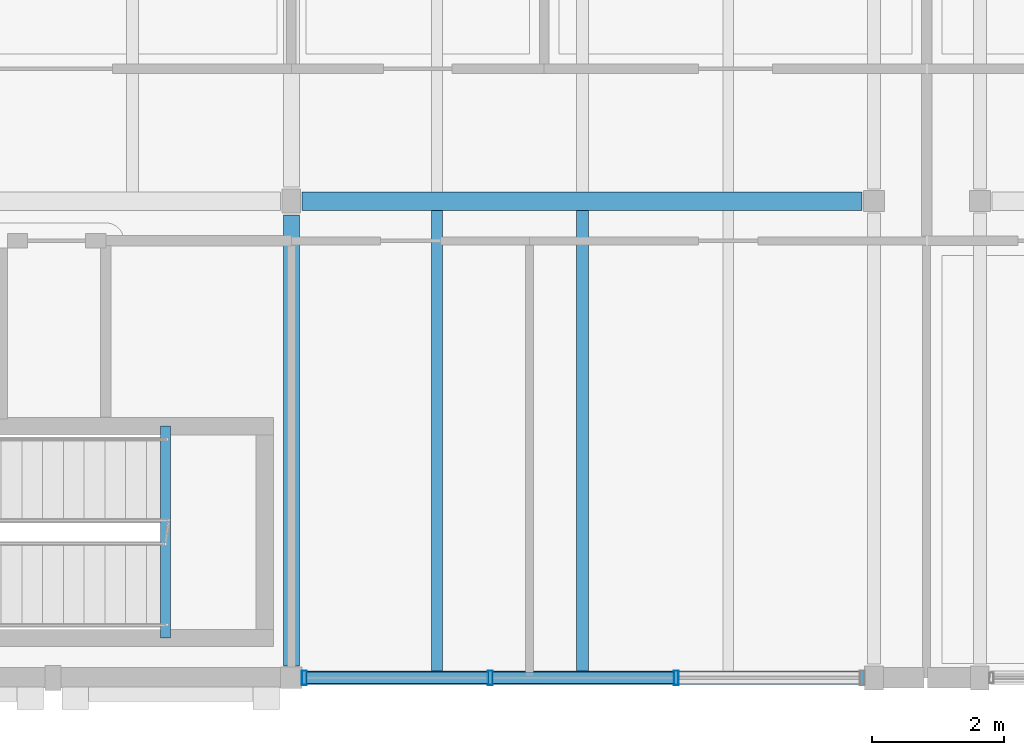
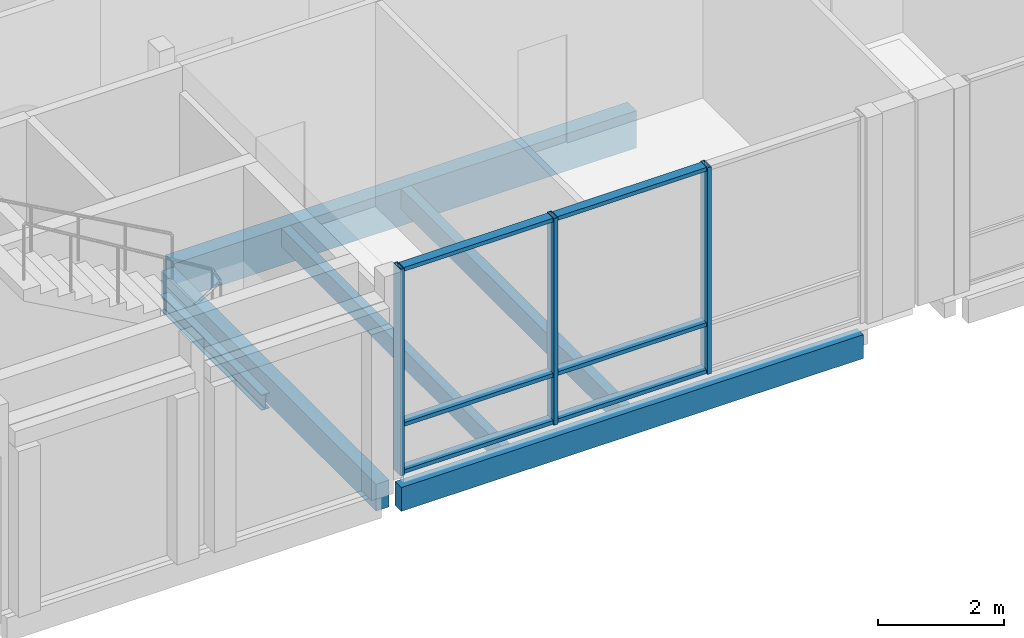
# One storey, part 16 of 115: 9 members, 6 beams, 1 element without a shape of its own.
"""IFC4 building model written with IfcOpenShell, lengths in metres."""

import ifcopenshell
import ifcopenshell.guid

model = None  # the IFC model being written
_history = None  # IfcOwnerHistory: only IFC2X3 demands one
_inside = {}  # id of a spatial element -> (the spatial element, [elements in it])
_under = {}  # id of a project, library or spatial element -> (it, [spatial elements below it])
_declared = {}  # id of a project -> (the project, [libraries it declares])
_typed = {}  # id of a type object -> (the type object, [elements of that type])
_made_of = {}  # id of a material, layer set ... -> (it, [elements and type objects made of it])


def new_model(schema):
    """Start an empty IFC model of exactly this schema.

    Asked for "IFC4X3", IfcOpenShell would pick the latest addendum, in which some entities
    have other attributes; the version numbers below select the first issue.
    IFC2X3 requires an IfcOwnerHistory on every rooted entity: one is made here for all.
    """
    global model, _history
    if schema == "IFC4X3":
        model = ifcopenshell.file(schema_version=(4, 3, 0, 0))
    else:
        model = ifcopenshell.file(schema=schema)
    _inside.clear()
    _under.clear()
    _declared.clear()
    _typed.clear()
    _made_of.clear()
    _history = None
    if model.schema == "IFC2X3":
        org = make("IfcOrganization", Name="unknown")
        user = make(
            "IfcPersonAndOrganization",
            ThePerson=make("IfcPerson", FamilyName="unknown"),
            TheOrganization=org,
        )
        app = make(
            "IfcApplication",
            ApplicationDeveloper=org,
            Version="unknown",
            ApplicationFullName="unknown",
            ApplicationIdentifier="unknown",
        )
        _history = make(
            "IfcOwnerHistory",
            OwningUser=user,
            OwningApplication=app,
            ChangeAction="ADDED",
            CreationDate=0,
        )
    return model


def make(cls, **values):
    """One entity of the class cls with the attributes given. An attribute that is None is left unset."""
    return model.create_entity(
        cls, **{name: value for name, value in values.items() if value is not None}
    )


def rooted(cls, **values):
    """An entity with a GlobalId (a new one), such as an element, a storey or a relation."""
    return make(cls, GlobalId=ifcopenshell.guid.new(), OwnerHistory=_history, **values)


def si_unit(unit_type, name, prefix=None):
    """IfcSIUnit, for example si_unit("LENGTHUNIT", "METRE", prefix="MILLI")."""
    return make("IfcSIUnit", UnitType=unit_type, Prefix=prefix, Name=name)


def assignment(units):
    """IfcUnitAssignment: the units of a project."""
    return None if units is None else make("IfcUnitAssignment", Units=units)


def point(xyz):
    """IfcCartesianPoint."""
    return None if xyz is None else make("IfcCartesianPoint", Coordinates=xyz)


def direction(xyz):
    """IfcDirection."""
    return None if xyz is None else make("IfcDirection", DirectionRatios=xyz)


def frame(location, z_axis=None, x_axis=None):
    """IfcAxis2Placement3D, a coordinate frame: its origin and axes. An axis left out is left unset."""
    return make(
        "IfcAxis2Placement3D",
        Location=point(location),
        Axis=direction(z_axis),
        RefDirection=direction(x_axis),
    )


def frame_2d(location, x_axis=None):
    """IfcAxis2Placement2D, a coordinate frame in the plane: its origin and x axis."""
    return make(
        "IfcAxis2Placement2D", Location=point(location), RefDirection=direction(x_axis)
    )


def origin():
    """The frame at (0, 0, 0) with its axes left unset."""
    return frame((0.0, 0.0, 0.0))


def origin_2d():
    """The frame at (0, 0) in the plane with its x axis left unset."""
    return frame_2d((0.0, 0.0))


def place(relative_to, where):
    """IfcLocalPlacement: puts the frame where relative to a parent placement (None: the world)."""
    return make(
        "IfcLocalPlacement", PlacementRelTo=relative_to, RelativePlacement=where
    )


def context(
    kind, dimensions, precision=None, world=None, true_north=None, identifier=None
):
    """IfcGeometricRepresentationContext, for example the 3D "Model" context."""
    return make(
        "IfcGeometricRepresentationContext",
        ContextIdentifier=identifier,
        ContextType=kind,
        CoordinateSpaceDimension=dimensions,
        Precision=precision,
        WorldCoordinateSystem=world,
        TrueNorth=true_north,
    )


def subcontext(parent, identifier, kind, view, scale=None):
    """IfcGeometricRepresentationSubContext, for example "Body" below "Model"."""
    return make(
        "IfcGeometricRepresentationSubContext",
        ContextIdentifier=identifier,
        ContextType=kind,
        ParentContext=parent,
        TargetScale=scale,
        TargetView=view,
    )


def project(units=None, contexts=None):
    """IfcProject with its units and contexts."""
    return rooted(
        "IfcProject",
        Name="project",
        RepresentationContexts=contexts,
        UnitsInContext=assignment(units),
    )


def spatial(cls, under=None, at=None, **own):
    """A site, building, storey or space (cls), placed at a placement, below another one or the project."""
    s = rooted(cls, ObjectPlacement=at, **own)
    if under is not None:
        _under.setdefault(under.id(), (under, []))[1].append(s)
    return s


def profile(cls, at=None, kind="AREA", **sizes):
    """A parametric profile (cls). Its sizes go by their IFC names, for example OverallWidth=200.0."""
    return make(cls, ProfileType=kind, Position=at, **sizes)


def rectangle(**sizes):
    """IfcRectangleProfileDef."""
    return profile("IfcRectangleProfileDef", **sizes)


def hollow_rectangle(**sizes):
    """IfcRectangleHollowProfileDef."""
    return profile("IfcRectangleHollowProfileDef", **sizes)


def i_section(**sizes):
    """IfcIShapeProfileDef."""
    return profile("IfcIShapeProfileDef", **sizes)


def extrude(swept, where, along, depth):
    """IfcExtrudedAreaSolid: the profile swept, set in the frame where, extruded along a direction by depth."""
    return make(
        "IfcExtrudedAreaSolid",
        SweptArea=swept,
        Position=where,
        ExtrudedDirection=direction(along),
        Depth=depth,
    )


def shape(context_of_items, identifier, shape_type, items):
    """IfcShapeRepresentation: the items that make up one representation, for example the "Body"."""
    return make(
        "IfcShapeRepresentation",
        ContextOfItems=context_of_items,
        RepresentationIdentifier=identifier,
        RepresentationType=shape_type,
        Items=items,
    )


def material(Name=None, Category=None):
    """IfcMaterial."""
    return make("IfcMaterial", Name=Name, Category=Category)


def material_profile(
    of_material, cross_section, Name=None, Category=None, Priority=None
):
    """IfcMaterialProfile: a cross section and its material."""
    return make(
        "IfcMaterialProfile",
        Name=Name,
        Material=of_material,
        Profile=cross_section,
        Priority=Priority,
        Category=Category,
    )


def profile_set(profiles, Name=None, composite=None):
    """IfcMaterialProfileSet."""
    return make(
        "IfcMaterialProfileSet",
        Name=Name,
        MaterialProfiles=profiles,
        CompositeProfile=composite,
    )


def made_of(thing, what):
    """Note that an element or type object is made of a material, layer set ...; save() writes the relation."""
    if what is not None:
        _made_of.setdefault(what.id(), (what, []))[1].append(thing)
    return thing


def type_object(cls, material=None, **own):
    """A type object (cls), such as IfcWallType, which elements share."""
    return made_of(rooted(cls, **own), material)


def element(
    cls,
    number,
    at=None,
    inside=None,
    cuts=None,
    type_object=None,
    material=None,
    context=None,
    identifier="Body",
    shape_type=None,
    held_by="IfcProductDefinitionShape",
    body=None,
    shapes=None,
    **own,
):
    """One element of the class cls, such as IfcWall. Its Tag is "e" and its number.

    at: its placement. inside: the storey or other place that contains it. cuts: it is an
    opening in that element (IfcRelVoidsElement). A single representation is given by context,
    identifier, shape_type and body (its items); several are given by shapes. held_by: the class
    of the entity that holds the representations. save() writes the other relations.
    """
    e = rooted(cls, Tag="e%d" % number, ObjectPlacement=at, **own)
    if body is not None:
        shapes = [shape(context, identifier, shape_type, body)]
    if shapes is not None:
        e.Representation = make(held_by, Representations=shapes)
    if inside is not None:
        _inside.setdefault(inside.id(), (inside, []))[1].append(e)
    if cuts is not None:
        rooted(
            "IfcRelVoidsElement", RelatingBuildingElement=cuts, RelatedOpeningElement=e
        )
    if type_object is not None:
        _typed.setdefault(type_object.id(), (type_object, []))[1].append(e)
    return made_of(e, material)


def aggregate(whole, parts):
    """IfcRelAggregates: a whole, such as a stair, and the parts it consists of."""
    return rooted("IfcRelAggregates", RelatingObject=whole, RelatedObjects=parts)


def save(model, path):
    """Write the relations noted so far, then the file.

    IfcRelAggregates (storeys below a building ...), IfcRelContainedInSpatialStructure (elements
    in a storey), IfcRelDefinesByType, IfcRelAssociatesMaterial and IfcRelDeclares: one each for
    every whole, place, type object, material and project.
    """
    for whole, parts in _under.values():
        aggregate(whole, parts)
    for where, things in _inside.values():
        rooted(
            "IfcRelContainedInSpatialStructure",
            RelatedElements=things,
            RelatingStructure=where,
        )
    for kind, things in _typed.values():
        rooted("IfcRelDefinesByType", RelatedObjects=things, RelatingType=kind)
    for what, things in _made_of.values():
        rooted("IfcRelAssociatesMaterial", RelatedObjects=things, RelatingMaterial=what)
    for by, libraries in _declared.values():
        rooted("IfcRelDeclares", RelatingContext=by, RelatedDefinitions=libraries)
    model.write(path)


model = new_model("IFC4")

# Units and contexts
model_context = context("Model", 3, precision=1e-05, world=origin(), true_north=direction((0.0, 1.0)))
body_context = subcontext(model_context, "Body", "Model", "MODEL_VIEW")
ifc_project = project(units=[si_unit("LENGTHUNIT", "METRE"), si_unit("AREAUNIT", "SQUARE_METRE"), si_unit("VOLUMEUNIT", "CUBIC_METRE"), si_unit("PLANEANGLEUNIT", "RADIAN"), si_unit("MASSUNIT", "GRAM", prefix="KILO")], contexts=[model_context])

# Site, building, storey
site_placement = place(None, origin())
site = spatial("IfcSite", under=ifc_project, at=site_placement, CompositionType="ELEMENT")
building_placement = place(site_placement, origin())
building = spatial("IfcBuilding", under=site, at=building_placement, Name="Hawrajan Terrace Health Centre", CompositionType="ELEMENT")
storey_placement = place(building_placement, frame((0.0, 0.0, 9.0)))
storey = spatial("IfcBuildingStorey", under=building, at=storey_placement, Name="L02", CompositionType="ELEMENT", Elevation=9.0)

# Curtain wall, members
ifc_material_1 = material(Name="Anodized bronze aluminium and low-E solar glazing", Category="aluminium")
curtain_wall_type = type_object("IfcCurtainWallType", Name="CW_Garden_SeriesF1", PredefinedType="USERDEFINED", material=ifc_material_1)
curtain_wall_placement = place(storey_placement, origin())
curtain_wall = element("IfcCurtainWall", 1, at=curtain_wall_placement, inside=storey, type_object=curtain_wall_type, Name="Curtain wall CW-L02-134", ObjectType="UNITISED CURTAIN WALL", PredefinedType="USERDEFINED")
ifc_material_2 = material(Name="Anodized bronze aluminium 6063-T6", Category="aluminium")
ifc_material_profile_1 = material_profile(ifc_material_2, hollow_rectangle(XDim=0.074951171875, YDim=0.219970703125, WallThickness=0.0048828125, at=origin_2d()), Name="CW MUL 75x220")
ifc_profile_set_1 = profile_set([ifc_material_profile_1], Name="Anodized bronze aluminium 6063-T6")
member_type_1 = type_object("IfcMemberType", Name="CWMullion_75x220", PredefinedType="MULLION", material=ifc_profile_set_1)
member_1_placement = place(storey_placement, frame((62.3974609375, 4.199951171875, -0.0048828125), z_axis=(0.0, 0.0, 1.0), x_axis=(1.0, 0.0, 0.0)))
member_1 = element("IfcMember", 2, at=member_1_placement, type_object=member_type_1, Name="Mullion CW-L02-134-M1", PredefinedType="MULLION", context=body_context, shape_type="SweptSolid", body=[
    extrude(hollow_rectangle(XDim=0.074951171875, YDim=0.219970703125, WallThickness=0.0048828125, at=origin_2d()), origin(), (0.0, 0.0, 1.0), 4.0),
])
member_2_placement = place(storey_placement, frame((65.205810546875, 4.199951171875, -0.0048828125), z_axis=(0.0, 0.0, 1.0), x_axis=(1.0, 0.0, 0.0)))
member_2 = element("IfcMember", 3, at=member_2_placement, type_object=member_type_1, Name="Mullion CW-L02-134-M2", PredefinedType="MULLION", context=body_context, shape_type="SweptSolid", body=[
    extrude(hollow_rectangle(XDim=0.074951171875, YDim=0.219970703125, WallThickness=0.0048828125, at=origin_2d()), origin(), (0.0, 0.0, 1.0), 4.0),
])
member_3_placement = place(storey_placement, frame((68.01416015625, 4.199951171875, -0.0048828125), z_axis=(0.0, 0.0, 1.0), x_axis=(1.0, 0.0, 0.0)))
member_3 = element("IfcMember", 4, at=member_3_placement, type_object=member_type_1, Name="Mullion CW-L02-134-M3", PredefinedType="MULLION", context=body_context, shape_type="SweptSolid", body=[
    extrude(hollow_rectangle(XDim=0.074951171875, YDim=0.219970703125, WallThickness=0.0048828125, at=origin_2d()), origin(), (0.0, 0.0, 1.0), 4.0),
])
ifc_material_profile_2 = material_profile(ifc_material_2, hollow_rectangle(XDim=0.074951171875, YDim=0.169921875, WallThickness=0.00439453125, at=origin_2d()), Name="CW TRN 75x170")
ifc_profile_set_2 = profile_set([ifc_material_profile_2], Name="Anodized bronze aluminium 6063-T6")
member_type_2 = type_object("IfcMemberType", Name="CWTransom_75x170", PredefinedType="USERDEFINED", material=ifc_profile_set_2)
member_4_placement = place(storey_placement, frame((62.428955078125, 4.199951171875, 0.03759765625), z_axis=(1.0, 0.0, 0.0), x_axis=(0.0, 0.0, 1.0)))
member_4 = element("IfcMember", 5, at=member_4_placement, type_object=member_type_2, Name="Transom CW-L02-134-T1-1", ObjectType="TRANSOM", PredefinedType="USERDEFINED", context=body_context, shape_type="SweptSolid", body=[
    extrude(hollow_rectangle(XDim=0.074951171875, YDim=0.169921875, WallThickness=0.00439453125, at=origin_2d()), origin(), (0.0, 0.0, 1.0), 2.745361328125),
])
member_5_placement = place(storey_placement, frame((62.428955078125, 4.199951171875, 0.949951171875), z_axis=(1.0, 0.0, 0.0), x_axis=(0.0, 0.0, 1.0)))
member_5 = element("IfcMember", 6, at=member_5_placement, type_object=member_type_2, Name="Transom CW-L02-134-T1-2", ObjectType="TRANSOM", PredefinedType="USERDEFINED", context=body_context, shape_type="SweptSolid", body=[
    extrude(hollow_rectangle(XDim=0.074951171875, YDim=0.169921875, WallThickness=0.00439453125, at=origin_2d()), origin(), (0.0, 0.0, 1.0), 2.745361328125),
])
member_6_placement = place(storey_placement, frame((62.428955078125, 4.199951171875, 3.952392578125), z_axis=(1.0, 0.0, 0.0), x_axis=(0.0, 0.0, 1.0)))
member_6 = element("IfcMember", 7, at=member_6_placement, type_object=member_type_2, Name="Transom CW-L02-134-T1-3", ObjectType="TRANSOM", PredefinedType="USERDEFINED", context=body_context, shape_type="SweptSolid", body=[
    extrude(hollow_rectangle(XDim=0.074951171875, YDim=0.169921875, WallThickness=0.00439453125, at=origin_2d()), origin(), (0.0, 0.0, 1.0), 2.745361328125),
])
member_7_placement = place(storey_placement, frame((65.2373046875, 4.199951171875, 0.03759765625), z_axis=(1.0, 0.0, 0.0), x_axis=(0.0, 0.0, 1.0)))
member_7 = element("IfcMember", 8, at=member_7_placement, type_object=member_type_2, Name="Transom CW-L02-134-T2-1", ObjectType="TRANSOM", PredefinedType="USERDEFINED", context=body_context, shape_type="SweptSolid", body=[
    extrude(hollow_rectangle(XDim=0.074951171875, YDim=0.169921875, WallThickness=0.00439453125, at=origin_2d()), origin(), (0.0, 0.0, 1.0), 2.745361328125),
])
member_8_placement = place(storey_placement, frame((65.2373046875, 4.199951171875, 0.949951171875), z_axis=(1.0, 0.0, 0.0), x_axis=(0.0, 0.0, 1.0)))
member_8 = element("IfcMember", 9, at=member_8_placement, type_object=member_type_2, Name="Transom CW-L02-134-T2-2", ObjectType="TRANSOM", PredefinedType="USERDEFINED", context=body_context, shape_type="SweptSolid", body=[
    extrude(hollow_rectangle(XDim=0.074951171875, YDim=0.169921875, WallThickness=0.00439453125, at=origin_2d()), origin(), (0.0, 0.0, 1.0), 2.745361328125),
])
member_9_placement = place(storey_placement, frame((65.2373046875, 4.199951171875, 3.952392578125), z_axis=(1.0, 0.0, 0.0), x_axis=(0.0, 0.0, 1.0)))
member_9 = element("IfcMember", 10, at=member_9_placement, type_object=member_type_2, Name="Transom CW-L02-134-T2-3", ObjectType="TRANSOM", PredefinedType="USERDEFINED", context=body_context, shape_type="SweptSolid", body=[
    extrude(hollow_rectangle(XDim=0.074951171875, YDim=0.169921875, WallThickness=0.00439453125, at=origin_2d()), origin(), (0.0, 0.0, 1.0), 2.745361328125),
])
aggregate(curtain_wall, [member_1, member_2, member_3, member_4, member_5, member_6, member_7, member_8, member_9])

# Beams
ifc_material_3 = material(Name="Glulam GL32h", Category="wood")
ifc_material_profile_3 = material_profile(ifc_material_3, rectangle(XDim=0.239990234375, YDim=0.52001953125, at=origin_2d()), Name="GL BM 240x520")
ifc_profile_set_3 = profile_set([ifc_material_profile_3], Name="Glulam GL32h")
beam_type_1 = type_object("IfcBeamType", Name="GlulamGirder_240x520", PredefinedType="BEAM", material=ifc_profile_set_3)
beam_1_placement = place(storey_placement, frame((62.199951171875, 4.3798828125, -0.5), z_axis=(0.0, 1.0, 0.0), x_axis=(-1.0, 0.0, 0.0)))
element("IfcBeam", 11, at=beam_1_placement, inside=storey, type_object=beam_type_1, Name="Beam BM-Y-L02-W-X09-1", PredefinedType="BEAM", context=body_context, shape_type="SweptSolid", body=[
    extrude(rectangle(XDim=0.239990234375, YDim=0.52001953125, at=origin_2d()), origin(), (0.0, 0.0, 1.0), 6.81005859375),
])
ifc_material_profile_4 = material_profile(ifc_material_3, rectangle(XDim=0.280029296875, YDim=0.719970703125, at=origin_2d()), Name="GL BM 280x720")
ifc_profile_set_4 = profile_set([ifc_material_profile_4], Name="Glulam GL32h")
beam_type_2 = type_object("IfcBeamType", Name="GlulamGirder_280x720", PredefinedType="BEAM", material=ifc_profile_set_4)
beam_2_placement = place(storey_placement, frame((62.360107421875, 11.39990234375, -0.60009765625), z_axis=(1.0, 0.0, 0.0), x_axis=(0.0, 1.0, 0.0)))
element("IfcBeam", 12, at=beam_2_placement, inside=storey, type_object=beam_type_2, Name="Beam BM-X-L02-W-09-Y2", PredefinedType="BEAM", context=body_context, shape_type="SweptSolid", body=[
    extrude(rectangle(XDim=0.280029296875, YDim=0.719970703125, at=origin_2d()), origin(), (0.0, 0.0, 1.0), 8.4599609375),
])
ifc_material_4 = material(Name="Glulam GL28h", Category="wood")
ifc_material_profile_5 = material_profile(ifc_material_4, rectangle(XDim=0.159912109375, YDim=0.360107421875, at=origin_2d()), Name="GL JST 160x360")
ifc_profile_set_5 = profile_set([ifc_material_profile_5], Name="Glulam GL28h")
beam_type_3 = type_object("IfcBeamType", Name="GlulamJoist_160x360", PredefinedType="JOIST", material=ifc_profile_set_5)
beam_3_placement = place(storey_placement, frame((64.39990234375, 4.300048828125, -0.419921875), z_axis=(0.0, 1.0, 0.0), x_axis=(-1.0, 0.0, 0.0)))
element("IfcBeam", 13, at=beam_3_placement, inside=storey, type_object=beam_type_3, Name="Secondary joist JST-L02-W-09-1-1", PredefinedType="JOIST", context=body_context, shape_type="SweptSolid", body=[
    extrude(rectangle(XDim=0.159912109375, YDim=0.360107421875, at=origin_2d()), origin(), (0.0, 0.0, 1.0), 6.9599609375),
])
ifc_material_profile_6 = material_profile(ifc_material_4, rectangle(XDim=0.179931640625, YDim=0.39990234375, at=origin_2d()), Name="GL JST 180x400")
ifc_profile_set_6 = profile_set([ifc_material_profile_6], Name="Glulam GL28h")
beam_type_4 = type_object("IfcBeamType", Name="GlulamJoist_180x400", PredefinedType="JOIST", material=ifc_profile_set_6)
beam_4_placement = place(storey_placement, frame((66.60009765625, 4.300048828125, -0.43994140625), z_axis=(0.0, 1.0, 0.0), x_axis=(-1.0, 0.0, 0.0)))
element("IfcBeam", 14, at=beam_4_placement, inside=storey, type_object=beam_type_4, Name="Secondary joist JST-L02-W-09-1-2", PredefinedType="JOIST", context=body_context, shape_type="SweptSolid", body=[
    extrude(rectangle(XDim=0.179931640625, YDim=0.39990234375, at=origin_2d()), origin(), (0.0, 0.0, 1.0), 6.9599609375),
])
ifc_material_profile_7 = material_profile(ifc_material_3, rectangle(XDim=0.199951171875, YDim=0.4599609375, at=origin_2d()), Name="GL SP 200x460")
ifc_profile_set_7 = profile_set([ifc_material_profile_7], Name="Glulam GL32h")
beam_type_5 = type_object("IfcBeamType", Name="GlulamSpandrel_200x460", PredefinedType="SPANDREL", material=ifc_profile_set_7)
beam_5_placement = place(storey_placement, frame((62.3798828125, 4.199951171875, -0.469970703125), z_axis=(1.0, 0.0, 0.0), x_axis=(0.0, 1.0, 0.0)))
element("IfcBeam", 15, at=beam_5_placement, inside=storey, type_object=beam_type_5, Name="Beam BM-X-L02-W-09-Y1", PredefinedType="SPANDREL", context=body_context, shape_type="SweptSolid", body=[
    extrude(rectangle(XDim=0.199951171875, YDim=0.4599609375, at=origin_2d()), origin(), (0.0, 0.0, 1.0), 8.460205078125),
])
ifc_material_5 = material(Name="Steel S355", Category="steel")
ifc_material_profile_8 = material_profile(ifc_material_5, i_section(OverallWidth=0.14990234375, OverallDepth=0.300048828125, WebThickness=0.007080078125, FlangeThickness=0.0107421875, FilletRadius=0.014892578125, at=origin_2d()), Name="IPE 300")
ifc_profile_set_8 = profile_set([ifc_material_profile_8], Name="Steel S355")
beam_type_6 = type_object("IfcBeamType", Name="SteelBeam_IPE300", PredefinedType="JOIST", material=ifc_profile_set_8)
beam_6_placement = place(storey_placement, frame((60.300048828125, 4.800048828125, 1.72998046875), z_axis=(0.0, 1.0, 0.0), x_axis=(-1.0, 0.0, 0.0)))
element("IfcBeam", 16, at=beam_6_placement, inside=storey, type_object=beam_type_6, Name="Stair half-landing trimmer ST-4-L02-B1", PredefinedType="JOIST", context=body_context, shape_type="SweptSolid", body=[
    extrude(i_section(OverallWidth=0.14990234375, OverallDepth=0.300048828125, WebThickness=0.007080078125, FlangeThickness=0.0107421875, FilletRadius=0.014892578125, at=origin_2d()), origin(), (0.0, 0.0, 1.0), 3.199951171875),
])

save(model, "model.ifc")
